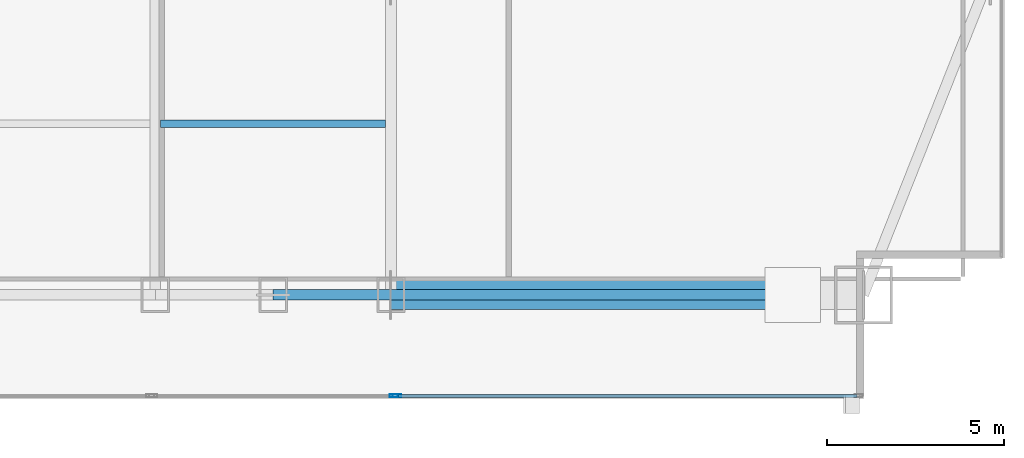
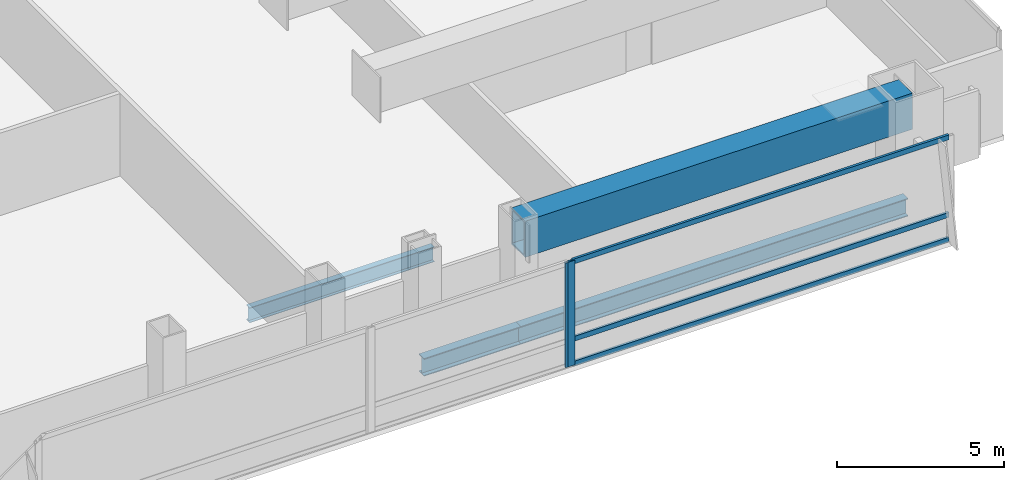
# One storey, part 13 of 32: 5 members, 4 beams, 2 elements without a shape of their own.
"""IFC4 building model written with IfcOpenShell, lengths in metres."""

from ifc_helpers import new_model, si_unit, direction, frame, origin, origin_2d, place, context, subcontext, project, spatial, hollow_rectangle, i_section, extrude, material, material_profile, profile_set, type_object, element, aggregate, save


model = new_model("IFC4")

# Units and contexts
model_context = context("Model", 3, precision=1e-05, world=origin(), true_north=direction((0.0, 1.0)))
body_context = subcontext(model_context, "Body", "Model", "MODEL_VIEW")
ifc_project = project(units=[si_unit("LENGTHUNIT", "METRE"), si_unit("AREAUNIT", "SQUARE_METRE"), si_unit("VOLUMEUNIT", "CUBIC_METRE"), si_unit("PLANEANGLEUNIT", "RADIAN"), si_unit("MASSUNIT", "GRAM", prefix="KILO")], contexts=[model_context])

# Site, building, storey
site_placement = place(None, origin())
site = spatial("IfcSite", under=ifc_project, at=site_placement, CompositionType="ELEMENT")
building_placement = place(site_placement, origin())
building = spatial("IfcBuilding", under=site, at=building_placement, Name="Khoronbel Lancet Exchange", CompositionType="ELEMENT")
storey_placement = place(building_placement, frame((0.0, 0.0, 77.800048828125)))
storey = spatial("IfcBuildingStorey", under=building, at=storey_placement, Name="L18", CompositionType="ELEMENT", Elevation=77.800048828125)

# Beams
ifc_material_1 = material(Name="Steel S355", Category="steel")
ifc_material_profile_1 = material_profile(ifc_material_1, i_section(OverallWidth=0.2099609375, OverallDepth=0.550048828125, WebThickness=0.010986328125, FlangeThickness=0.01708984375, at=origin_2d()), Name="IPE 550")
ifc_profile_set_1 = profile_set([ifc_material_profile_1], Name="Steel S355")
beam_type_1 = type_object("IfcBeamType", Name="BM-BJ2", PredefinedType="JOIST", material=ifc_profile_set_1)
beam_1_placement = place(storey_placement, frame((48.14990234375, 15.0, -0.455078125), z_axis=(1.0, 0.0, 0.0), x_axis=(0.0, 1.0, 0.0)))
element("IfcBeam", 1, at=beam_1_placement, inside=storey, type_object=beam_type_1, Name="Level L18 secondary composite joist J05", PredefinedType="JOIST", context=body_context, shape_type="SweptSolid", body=[
    extrude(i_section(OverallWidth=0.2099609375, OverallDepth=0.550048828125, WebThickness=0.010986328125, FlangeThickness=0.01708984375, at=origin_2d()), origin(), (0.0, 0.0, 1.0), 6.375),
])
ifc_material_profile_2 = material_profile(ifc_material_1, i_section(OverallWidth=0.300048828125, OverallDepth=0.64990234375, WebThickness=0.01611328125, FlangeThickness=0.031005859375, at=origin_2d()), Name="HEB 650")
ifc_profile_set_2 = profile_set([ifc_material_profile_2], Name="Steel S355")
beam_type_2 = type_object("IfcBeamType", Name="BM-BSP1", PredefinedType="SPANDREL", material=ifc_profile_set_2)
beam_2_placement = place(storey_placement, frame((51.33740234375, 10.14990234375, -0.505126953125), z_axis=(1.0, 0.0, 0.0), x_axis=(0.0, 1.0, 0.0)))
element("IfcBeam", 2, at=beam_2_placement, inside=storey, type_object=beam_type_2, Name="Level L18 perimeter spandrel beam SP08", PredefinedType="SPANDREL", context=body_context, shape_type="SweptSolid", body=[
    extrude(i_section(OverallWidth=0.300048828125, OverallDepth=0.64990234375, WebThickness=0.01611328125, FlangeThickness=0.031005859375, at=origin_2d()), origin(), (0.0, 0.0, 1.0), 3.337646484375),
])
beam_3_placement = place(storey_placement, frame((54.675048828125, 10.14990234375, -0.505126953125), z_axis=(1.0, 0.0, 0.0), x_axis=(0.0, 1.0, 0.0)))
element("IfcBeam", 3, at=beam_3_placement, inside=storey, type_object=beam_type_2, Name="Level L18 perimeter spandrel beam SP09", PredefinedType="SPANDREL", context=body_context, shape_type="SweptSolid", body=[
    extrude(i_section(OverallWidth=0.300048828125, OverallDepth=0.64990234375, WebThickness=0.01611328125, FlangeThickness=0.031005859375, at=origin_2d()), origin(), (0.0, 0.0, 1.0), 13.375),
])
ifc_material_2 = material(Name="Steel S460", Category="steel")
ifc_material_profile_3 = material_profile(ifc_material_2, hollow_rectangle(XDim=0.820068359375, YDim=1.320068359375, WallThickness=0.070068359375, at=origin_2d()), Name="BOX 820x1320x70")
ifc_profile_set_3 = profile_set([ifc_material_profile_3], Name="Steel S460")
beam_type_3 = type_object("IfcBeamType", Name="BM-TG4", PredefinedType="USERDEFINED", material=ifc_profile_set_3)
beam_4_placement = place(storey_placement, frame((54.675048828125, 10.14990234375, 3.159912109375), z_axis=(1.0, 0.0, 0.0), x_axis=(0.0, 1.0, 0.0)))
element("IfcBeam", 4, at=beam_4_placement, inside=storey, type_object=beam_type_3, Name="Corner mega-column setback transfer girder L18-SE", ObjectType="TRANSFER GIRDER", PredefinedType="USERDEFINED", context=body_context, shape_type="SweptSolid", body=[
    extrude(hollow_rectangle(XDim=0.820068359375, YDim=1.320068359375, WallThickness=0.070068359375, at=origin_2d()), origin(), (0.0, 0.0, 1.0), 13.375),
])

# Curtain wall, member
ifc_material_3 = material(Name="Low-E Solar Control Insulating Glass", Category="glass")
curtain_wall_type = type_object("IfcCurtainWallType", Name="CW-1", PredefinedType="NOTDEFINED", material=ifc_material_3)
curtain_wall_1_placement = place(storey_placement, origin())
curtain_wall_1 = element("IfcCurtainWall", 5, at=curtain_wall_1_placement, inside=storey, type_object=curtain_wall_type, Name="Unitised curtain wall CW-L18-SEB", PredefinedType="NOTDEFINED")
ifc_material_4 = material(Name="Bronze-Anodised Aluminium 6063-T6", Category="aluminium")
ifc_material_profile_4 = material_profile(ifc_material_4, hollow_rectangle(XDim=0.0849609375, YDim=0.239990234375, WallThickness=0.006103515625, at=origin_2d()), Name="ALU MULLION 85x240")
ifc_profile_set_4 = profile_set([ifc_material_profile_4], Name="Bronze-Anodised Aluminium 6063-T6")
member_type_1 = type_object("IfcMemberType", Name="MEM-CWM1", PredefinedType="MULLION", material=ifc_profile_set_4)
member_1_placement = place(storey_placement, frame((54.757568359375, 7.2900390625, 0.0), z_axis=(0.0, 0.0, 1.0), x_axis=(0.0, 1.0, 0.0)))
member_1 = element("IfcMember", 6, at=member_1_placement, type_object=member_type_1, Name="CW1 mullion 2", PredefinedType="MULLION", context=body_context, shape_type="SweptSolid", body=[
    extrude(hollow_rectangle(XDim=0.0849609375, YDim=0.239990234375, WallThickness=0.006103515625, at=origin_2d()), origin(), (0.0, 0.0, 1.0), 3.820068359375),
])
aggregate(curtain_wall_1, [member_1])

# Curtain wall, members
curtain_wall_2_placement = place(storey_placement, origin())
curtain_wall_2 = element("IfcCurtainWall", 7, at=curtain_wall_2_placement, inside=storey, type_object=curtain_wall_type, Name="Unitised curtain wall CW-L18-SEV", PredefinedType="NOTDEFINED")
member_2_placement = place(storey_placement, frame((54.842529296875, 7.2900390625, 0.0), z_axis=(0.0, 0.0, 1.0), x_axis=(0.0, 1.0, 0.0)))
member_2 = element("IfcMember", 8, at=member_2_placement, type_object=member_type_1, Name="CW1 mullion 1", PredefinedType="MULLION", context=body_context, shape_type="SweptSolid", body=[
    extrude(hollow_rectangle(XDim=0.0849609375, YDim=0.239990234375, WallThickness=0.006103515625, at=origin_2d()), origin(), (0.0, 0.0, 1.0), 3.820068359375),
])
ifc_material_profile_5 = material_profile(ifc_material_4, hollow_rectangle(XDim=0.0849609375, YDim=0.179931640625, WallThickness=0.0048828125, at=origin_2d()), Name="ALU TRANSOM 85x180")
ifc_profile_set_5 = profile_set([ifc_material_profile_5], Name="Bronze-Anodised Aluminium 6063-T6")
member_type_2 = type_object("IfcMemberType", Name="MEM-CWT1", PredefinedType="USERDEFINED", material=ifc_profile_set_5)
member_3_placement = place(storey_placement, frame((54.885009765625, 7.2900390625, 0.04248046875), z_axis=(1.0, 0.0, 0.0), x_axis=(0.0, 1.0, 0.0)))
member_3 = element("IfcMember", 9, at=member_3_placement, type_object=member_type_2, Name="CW1 transom 1.1", ObjectType="TRANSOM", PredefinedType="USERDEFINED", context=body_context, shape_type="SweptSolid", body=[
    extrude(hollow_rectangle(XDim=0.0849609375, YDim=0.179931640625, WallThickness=0.0048828125, at=origin_2d()), origin(), (0.0, 0.0, 1.0), 12.989990234375),
])
member_4_placement = place(storey_placement, frame((54.885009765625, 7.2900390625, 0.949951171875), z_axis=(1.0, 0.0, 0.0), x_axis=(0.0, 1.0, 0.0)))
member_4 = element("IfcMember", 10, at=member_4_placement, type_object=member_type_2, Name="CW1 transom 1.2", ObjectType="TRANSOM", PredefinedType="USERDEFINED", context=body_context, shape_type="SweptSolid", body=[
    extrude(hollow_rectangle(XDim=0.0849609375, YDim=0.179931640625, WallThickness=0.0048828125, at=origin_2d()), origin(), (0.0, 0.0, 1.0), 12.989990234375),
])
member_5_placement = place(storey_placement, frame((54.885009765625, 7.2900390625, 3.77734375), z_axis=(1.0, 0.0, 0.0), x_axis=(0.0, 1.0, 0.0)))
member_5 = element("IfcMember", 11, at=member_5_placement, type_object=member_type_2, Name="CW1 transom 1.3", ObjectType="TRANSOM", PredefinedType="USERDEFINED", context=body_context, shape_type="SweptSolid", body=[
    extrude(hollow_rectangle(XDim=0.0849609375, YDim=0.179931640625, WallThickness=0.0048828125, at=origin_2d()), origin(), (0.0, 0.0, 1.0), 12.989990234375),
])
aggregate(curtain_wall_2, [member_2, member_3, member_4, member_5])

save(model, "model.ifc")
